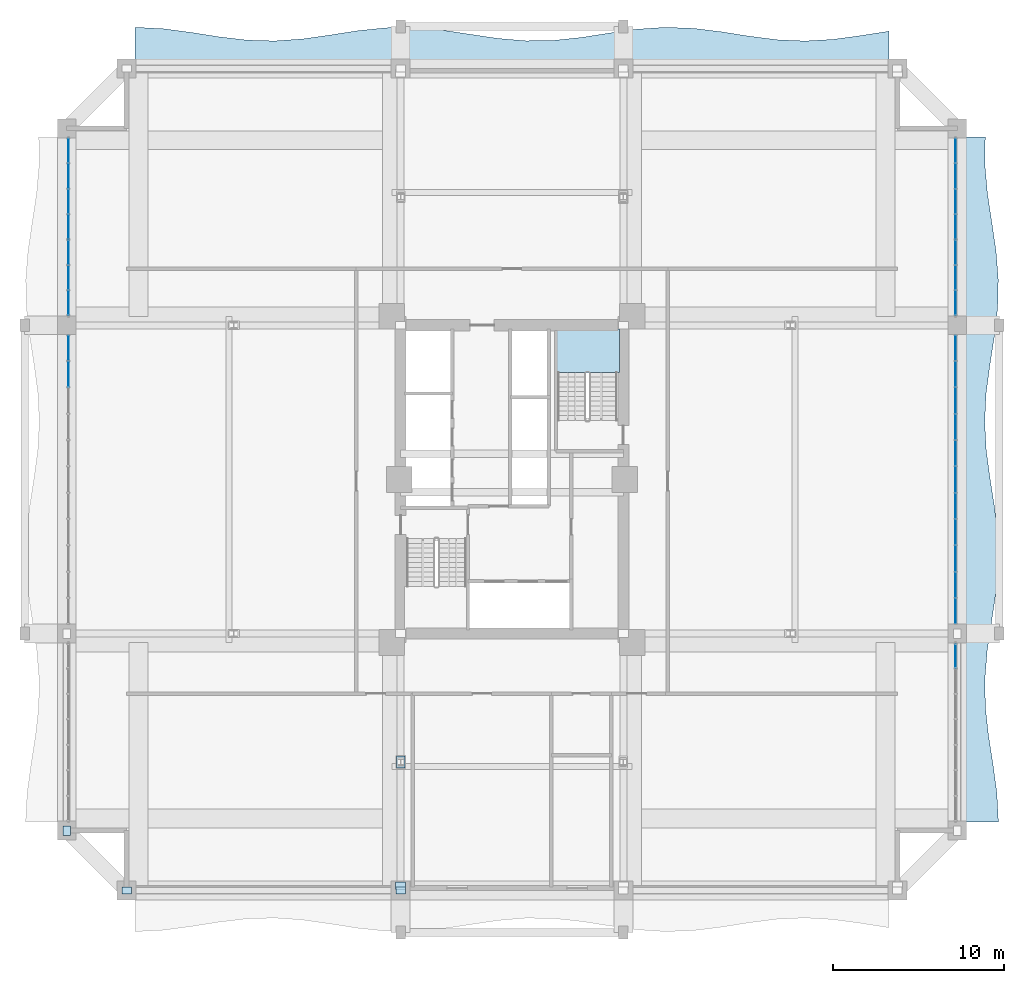
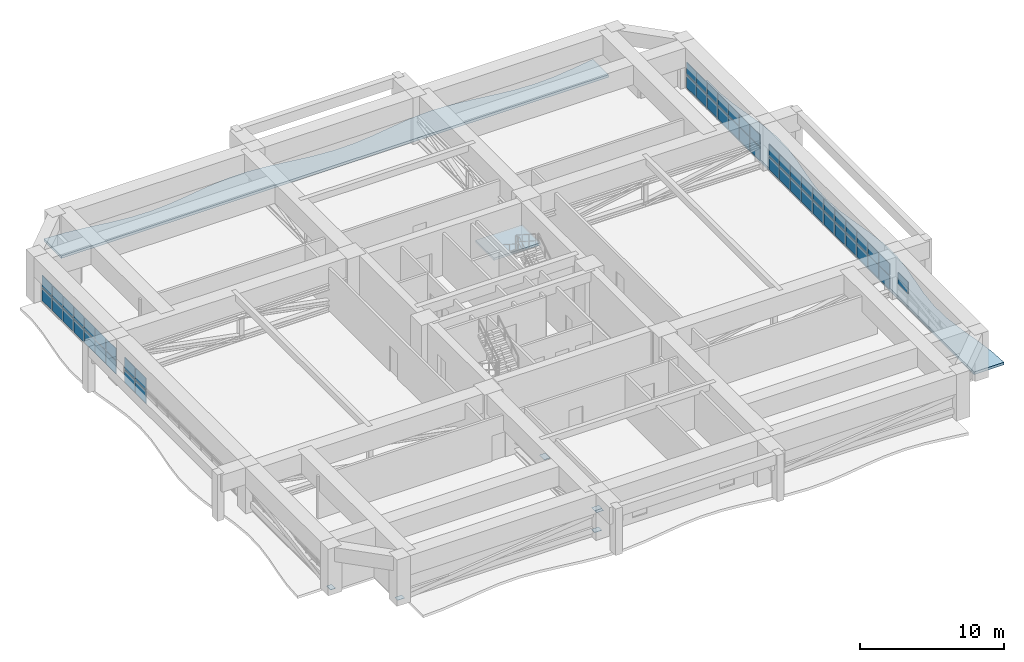
# One storey, part 27 of 35: 61 plates, 3 slabs, 6 elements without a shape of their own.
"""IFC4 building model written with IfcOpenShell, lengths in metres."""

import ifcopenshell
import ifcopenshell.guid

model = None  # the IFC model being written
_history = None  # IfcOwnerHistory: only IFC2X3 demands one
_inside = {}  # id of a spatial element -> (the spatial element, [elements in it])
_under = {}  # id of a project, library or spatial element -> (it, [spatial elements below it])
_declared = {}  # id of a project -> (the project, [libraries it declares])
_typed = {}  # id of a type object -> (the type object, [elements of that type])
_made_of = {}  # id of a material, layer set ... -> (it, [elements and type objects made of it])


def new_model(schema):
    """Start an empty IFC model of exactly this schema.

    Asked for "IFC4X3", IfcOpenShell would pick the latest addendum, in which some entities
    have other attributes; the version numbers below select the first issue.
    IFC2X3 requires an IfcOwnerHistory on every rooted entity: one is made here for all.
    """
    global model, _history
    if schema == "IFC4X3":
        model = ifcopenshell.file(schema_version=(4, 3, 0, 0))
    else:
        model = ifcopenshell.file(schema=schema)
    _inside.clear()
    _under.clear()
    _declared.clear()
    _typed.clear()
    _made_of.clear()
    _history = None
    if model.schema == "IFC2X3":
        org = make("IfcOrganization", Name="unknown")
        user = make(
            "IfcPersonAndOrganization",
            ThePerson=make("IfcPerson", FamilyName="unknown"),
            TheOrganization=org,
        )
        app = make(
            "IfcApplication",
            ApplicationDeveloper=org,
            Version="unknown",
            ApplicationFullName="unknown",
            ApplicationIdentifier="unknown",
        )
        _history = make(
            "IfcOwnerHistory",
            OwningUser=user,
            OwningApplication=app,
            ChangeAction="ADDED",
            CreationDate=0,
        )
    return model


def make(cls, **values):
    """One entity of the class cls with the attributes given. An attribute that is None is left unset."""
    return model.create_entity(
        cls, **{name: value for name, value in values.items() if value is not None}
    )


def rooted(cls, **values):
    """An entity with a GlobalId (a new one), such as an element, a storey or a relation."""
    return make(cls, GlobalId=ifcopenshell.guid.new(), OwnerHistory=_history, **values)


def si_unit(unit_type, name, prefix=None):
    """IfcSIUnit, for example si_unit("LENGTHUNIT", "METRE", prefix="MILLI")."""
    return make("IfcSIUnit", UnitType=unit_type, Prefix=prefix, Name=name)


def assignment(units):
    """IfcUnitAssignment: the units of a project."""
    return None if units is None else make("IfcUnitAssignment", Units=units)


def point(xyz):
    """IfcCartesianPoint."""
    return None if xyz is None else make("IfcCartesianPoint", Coordinates=xyz)


def direction(xyz):
    """IfcDirection."""
    return None if xyz is None else make("IfcDirection", DirectionRatios=xyz)


def frame(location, z_axis=None, x_axis=None):
    """IfcAxis2Placement3D, a coordinate frame: its origin and axes. An axis left out is left unset."""
    return make(
        "IfcAxis2Placement3D",
        Location=point(location),
        Axis=direction(z_axis),
        RefDirection=direction(x_axis),
    )


def frame_2d(location, x_axis=None):
    """IfcAxis2Placement2D, a coordinate frame in the plane: its origin and x axis."""
    return make(
        "IfcAxis2Placement2D", Location=point(location), RefDirection=direction(x_axis)
    )


def origin():
    """The frame at (0, 0, 0) with its axes left unset."""
    return frame((0.0, 0.0, 0.0))


def origin_2d():
    """The frame at (0, 0) in the plane with its x axis left unset."""
    return frame_2d((0.0, 0.0))


def place(relative_to, where):
    """IfcLocalPlacement: puts the frame where relative to a parent placement (None: the world)."""
    return make(
        "IfcLocalPlacement", PlacementRelTo=relative_to, RelativePlacement=where
    )


def context(
    kind, dimensions, precision=None, world=None, true_north=None, identifier=None
):
    """IfcGeometricRepresentationContext, for example the 3D "Model" context."""
    return make(
        "IfcGeometricRepresentationContext",
        ContextIdentifier=identifier,
        ContextType=kind,
        CoordinateSpaceDimension=dimensions,
        Precision=precision,
        WorldCoordinateSystem=world,
        TrueNorth=true_north,
    )


def subcontext(parent, identifier, kind, view, scale=None):
    """IfcGeometricRepresentationSubContext, for example "Body" below "Model"."""
    return make(
        "IfcGeometricRepresentationSubContext",
        ContextIdentifier=identifier,
        ContextType=kind,
        ParentContext=parent,
        TargetScale=scale,
        TargetView=view,
    )


def project(units=None, contexts=None):
    """IfcProject with its units and contexts."""
    return rooted(
        "IfcProject",
        Name="project",
        RepresentationContexts=contexts,
        UnitsInContext=assignment(units),
    )


def spatial(cls, under=None, at=None, **own):
    """A site, building, storey or space (cls), placed at a placement, below another one or the project."""
    s = rooted(cls, ObjectPlacement=at, **own)
    if under is not None:
        _under.setdefault(under.id(), (under, []))[1].append(s)
    return s


def polyline(points):
    """IfcPolyline through the points."""
    return make("IfcPolyline", Points=[point(p) for p in points])


def profile(cls, at=None, kind="AREA", **sizes):
    """A parametric profile (cls). Its sizes go by their IFC names, for example OverallWidth=200.0."""
    return make(cls, ProfileType=kind, Position=at, **sizes)


def rectangle(**sizes):
    """IfcRectangleProfileDef."""
    return profile("IfcRectangleProfileDef", **sizes)


def outline(outer, holes=None, kind="AREA"):
    """IfcArbitraryClosedProfileDef: a profile drawn as a closed curve; with holes, ...WithVoids."""
    if holes is None:
        return make("IfcArbitraryClosedProfileDef", ProfileType=kind, OuterCurve=outer)
    return make(
        "IfcArbitraryProfileDefWithVoids",
        ProfileType=kind,
        OuterCurve=outer,
        InnerCurves=holes,
    )


def extrude(swept, where, along, depth):
    """IfcExtrudedAreaSolid: the profile swept, set in the frame where, extruded along a direction by depth."""
    return make(
        "IfcExtrudedAreaSolid",
        SweptArea=swept,
        Position=where,
        ExtrudedDirection=direction(along),
        Depth=depth,
    )


def shape(context_of_items, identifier, shape_type, items):
    """IfcShapeRepresentation: the items that make up one representation, for example the "Body"."""
    return make(
        "IfcShapeRepresentation",
        ContextOfItems=context_of_items,
        RepresentationIdentifier=identifier,
        RepresentationType=shape_type,
        Items=items,
    )


def source(mapping_origin, context_of_items, identifier, shape_type, items):
    """IfcRepresentationMap: a shape defined once, which mapped items show again and again."""
    return make(
        "IfcRepresentationMap",
        MappingOrigin=mapping_origin,
        MappedRepresentation=shape(context_of_items, identifier, shape_type, items),
    )


def transform(
    local_origin,
    x_axis=None,
    y_axis=None,
    z_axis=None,
    scale=None,
    scale2=None,
    scale3=None,
    uniform=True,
):
    """IfcCartesianTransformationOperator3D, or its non-uniform kind. x_axis, y_axis, z_axis: its Axis1, 2, 3."""
    if uniform:
        return make(
            "IfcCartesianTransformationOperator3D",
            Axis1=direction(x_axis),
            Axis2=direction(y_axis),
            LocalOrigin=point(local_origin),
            Scale=scale,
            Axis3=direction(z_axis),
        )
    return make(
        "IfcCartesianTransformationOperator3DnonUniform",
        Axis1=direction(x_axis),
        Axis2=direction(y_axis),
        LocalOrigin=point(local_origin),
        Scale=scale,
        Axis3=direction(z_axis),
        Scale2=scale2,
        Scale3=scale3,
    )


def mapped(mapping_source, mapping_target):
    """IfcMappedItem: shows the shape of a source again, moved by a transform."""
    return make(
        "IfcMappedItem", MappingSource=mapping_source, MappingTarget=mapping_target
    )


def material(Name=None, Category=None):
    """IfcMaterial."""
    return make("IfcMaterial", Name=Name, Category=Category)


def layer(
    of_material, thickness, ventilated=None, Name=None, Category=None, Priority=None
):
    """IfcMaterialLayer: one layer of a wall or slab, of a material (None: an air gap)."""
    return make(
        "IfcMaterialLayer",
        Material=of_material,
        LayerThickness=thickness,
        IsVentilated=ventilated,
        Name=Name,
        Category=Category,
        Priority=Priority,
    )


def layer_set(layers, Name=None):
    """IfcMaterialLayerSet."""
    return make("IfcMaterialLayerSet", MaterialLayers=layers, LayerSetName=Name)


def made_of(thing, what):
    """Note that an element or type object is made of a material, layer set ...; save() writes the relation."""
    if what is not None:
        _made_of.setdefault(what.id(), (what, []))[1].append(thing)
    return thing


def type_object(cls, material=None, **own):
    """A type object (cls), such as IfcWallType, which elements share."""
    return made_of(rooted(cls, **own), material)


def element(
    cls,
    number,
    at=None,
    inside=None,
    cuts=None,
    type_object=None,
    material=None,
    context=None,
    identifier="Body",
    shape_type=None,
    held_by="IfcProductDefinitionShape",
    body=None,
    shapes=None,
    **own,
):
    """One element of the class cls, such as IfcWall. Its Tag is "e" and its number.

    at: its placement. inside: the storey or other place that contains it. cuts: it is an
    opening in that element (IfcRelVoidsElement). A single representation is given by context,
    identifier, shape_type and body (its items); several are given by shapes. held_by: the class
    of the entity that holds the representations. save() writes the other relations.
    """
    e = rooted(cls, Tag="e%d" % number, ObjectPlacement=at, **own)
    if body is not None:
        shapes = [shape(context, identifier, shape_type, body)]
    if shapes is not None:
        e.Representation = make(held_by, Representations=shapes)
    if inside is not None:
        _inside.setdefault(inside.id(), (inside, []))[1].append(e)
    if cuts is not None:
        rooted(
            "IfcRelVoidsElement", RelatingBuildingElement=cuts, RelatedOpeningElement=e
        )
    if type_object is not None:
        _typed.setdefault(type_object.id(), (type_object, []))[1].append(e)
    return made_of(e, material)


def aggregate(whole, parts):
    """IfcRelAggregates: a whole, such as a stair, and the parts it consists of."""
    return rooted("IfcRelAggregates", RelatingObject=whole, RelatedObjects=parts)


def save(model, path):
    """Write the relations noted so far, then the file.

    IfcRelAggregates (storeys below a building ...), IfcRelContainedInSpatialStructure (elements
    in a storey), IfcRelDefinesByType, IfcRelAssociatesMaterial and IfcRelDeclares: one each for
    every whole, place, type object, material and project.
    """
    for whole, parts in _under.values():
        aggregate(whole, parts)
    for where, things in _inside.values():
        rooted(
            "IfcRelContainedInSpatialStructure",
            RelatedElements=things,
            RelatingStructure=where,
        )
    for kind, things in _typed.values():
        rooted("IfcRelDefinesByType", RelatedObjects=things, RelatingType=kind)
    for what, things in _made_of.values():
        rooted("IfcRelAssociatesMaterial", RelatedObjects=things, RelatingMaterial=what)
    for by, libraries in _declared.values():
        rooted("IfcRelDeclares", RelatingContext=by, RelatedDefinitions=libraries)
    model.write(path)


model = new_model("IFC4")

# Units and contexts
model_context = context("Model", 3, precision=1e-05, world=origin(), true_north=direction((0.0, 1.0)))
body_context = subcontext(model_context, "Body", "Model", "MODEL_VIEW")
ifc_project = project(units=[si_unit("LENGTHUNIT", "METRE"), si_unit("AREAUNIT", "SQUARE_METRE"), si_unit("VOLUMEUNIT", "CUBIC_METRE"), si_unit("PLANEANGLEUNIT", "RADIAN"), si_unit("MASSUNIT", "GRAM", prefix="KILO")], contexts=[model_context])

# Site, building, storey
site_placement = place(None, origin())
site = spatial("IfcSite", under=ifc_project, at=site_placement, CompositionType="ELEMENT")
building_placement = place(site_placement, origin())
building = spatial("IfcBuilding", under=site, at=building_placement, Name="Saelheon Loggia Tower", CompositionType="ELEMENT")
storey_placement = place(building_placement, frame((0.0, 0.0, 70.39990234375)))
storey = spatial("IfcBuildingStorey", under=building, at=storey_placement, Name="L22", CompositionType="ELEMENT", Elevation=70.39990234375)

# Slabs
ifc_material_1 = material(Name="Concrete C45/55", Category="concrete")
ifc_layer_1 = layer(ifc_material_1, 0.219970703125)
ifc_layer_set_1 = layer_set([ifc_layer_1], Name="Concrete C45/55")
slab_type_1 = type_object("IfcSlabType", Name="Slab_RefugeTerrace_Ext_220", PredefinedType="FLOOR", material=ifc_layer_set_1)
slab_1_placement = place(storey_placement, frame((0.0, 0.0, -0.219970703125)))
element("IfcSlab", 1, at=slab_1_placement, inside=storey, type_object=slab_type_1, Name="L22 Open Refuge Terrace N", PredefinedType="FLOOR", context=body_context, shape_type="SweptSolid", body=[
    extrude(outline(polyline([(16.0, 51.0), (60.0, 51.0), (60.0, 53.17138671875), (58.370361328125, 52.915283203125), (56.74072265625, 52.6943359375), (55.111083984375, 52.600341796875), (53.4814453125, 52.672607421875), (51.851806640625, 52.880615234375), (50.22216796875, 53.138427734375), (48.592529296875, 53.338623046875), (46.962890625, 53.398193359375), (45.333251953125, 53.292236328125), (43.70361328125, 53.064697265625), (42.07421875, 52.810302734375), (40.4443359375, 52.635009765625), (38.814697265625, 52.611083984375), (37.185302734375, 52.748779296875), (35.5556640625, 52.9912109375), (33.92578125, 53.23681640625), (32.29638671875, 53.384521484375), (30.666748046875, 53.3720703125), (29.037109375, 53.205078125), (27.407470703125, 52.952880859375), (25.77783203125, 52.72021484375), (24.148193359375, 52.60400390625), (22.5185546875, 52.652099609375), (20.888916015625, 52.844970703125), (19.25927734375, 53.10205078125), (17.629638671875, 53.31689453125), (16.0, 53.39990234375), (16.0, 51.0)])), origin(), (0.0, 0.0, 1.0), 0.219970703125),
])
slab_2_placement = place(storey_placement, frame((0.0, 0.0, -0.219970703125)))
element("IfcSlab", 2, at=slab_2_placement, inside=storey, type_object=slab_type_1, Name="L22 Open Refuge Terrace E", PredefinedType="FLOOR", context=body_context, shape_type="SweptSolid", body=[
    extrude(outline(polyline([(64.0, 7.0), (66.39990234375, 7.0), (66.313232421875, 8.666748046875), (66.090576171875, 10.333251953125), (65.82861328125, 12.0), (65.64111328125, 13.666748046875), (65.609130859375, 15.333251953125), (65.7470703125, 17.0), (65.99462890625, 18.666748046875), (66.24462890625, 20.333251953125), (66.388427734375, 22.0), (66.363525390625, 23.666748046875), (66.18115234375, 25.333251953125), (65.919921875, 27.0), (65.693603515625, 28.666748046875), (65.60009765625, 30.333251953125), (65.68017578125, 32.0), (65.899169921875, 33.666748046875), (66.16162109375, 35.333251953125), (66.354248046875, 37.0), (66.39306640625, 38.666748046875), (66.26123046875, 40.333251953125), (66.01611328125, 42.0), (65.763916015625, 43.666748046875), (65.6142578125, 45.333251953125), (65.632080078125, 47.0), (64.0, 47.0), (64.0, 7.0)])), origin(), (0.0, 0.0, 1.0), 0.219970703125),
])

# Stair, slab
ifc_material_2 = material(Name="Concrete C40/50", Category="concrete")
stair_type = type_object("IfcStairType", Name="Stair_Escape_Core", PredefinedType="HALF_TURN_STAIR", material=ifc_material_2)
stair_placement = place(storey_placement, origin())
stair = element("IfcStair", 3, at=stair_placement, inside=storey, type_object=stair_type, Name="L22 Special Escape Stair ST2", PredefinedType="HALF_TURN_STAIR")
ifc_layer_2 = layer(ifc_material_2, 0.199951171875)
ifc_layer_set_2 = layer_set([ifc_layer_2], Name="Concrete C40/50")
slab_type_2 = type_object("IfcSlabType", Name="Slab_StairLanding_ST2", PredefinedType="LANDING", material=ifc_layer_set_2)
slab_3_placement = place(storey_placement, frame((0.0, 0.0, 1.775146484375)))
slab_3 = element("IfcSlab", 4, at=slab_3_placement, type_object=slab_type_2, Name="ST2 landing 1", PredefinedType="LANDING", context=body_context, shape_type="SweptSolid", body=[
    extrude(outline(polyline([(44.2900390625, 33.25), (44.2900390625, 35.7900390625), (40.530029296875, 35.7900390625), (40.530029296875, 33.25), (44.2900390625, 33.25)])), origin(), (0.0, 0.0, 1.0), 0.199951171875),
])
aggregate(stair, [slab_3])

# Plates
ifc_material_3 = material(Name="Steel SM355", Category="steel")
ifc_layer_3 = layer(ifc_material_3, 0.028076171875)
ifc_layer_set_3 = layer_set([ifc_layer_3], Name="Steel SM355")
plate_type_1 = type_object("IfcPlateType", Name="Plate_Gusset_GS1", PredefinedType="SHEET", material=ifc_layer_set_3)
shared_shape_1 = source(origin(), body_context, "Body", "SweptSolid", [
    extrude(rectangle(XDim=0.679931640625, YDim=0.47998046875, at=origin_2d()), origin(), (0.0, 0.0, 1.0), 0.028076171875),
])
plate_1_placement = place(storey_placement, frame((31.5, 10.5, 2.05615234375), z_axis=(0.0, 0.0, 1.0), x_axis=(0.0, 1.0, 0.0)))
element("IfcPlate", 5, at=plate_1_placement, inside=storey, type_object=plate_type_1, Name="L22 Outrigger Node Gusset SW-S", PredefinedType="SHEET", context=body_context, shape_type="MappedRepresentation", body=[
    mapped(shared_shape_1, transform((0.0, 0.0, 0.0), scale=1.0)),
])
ifc_layer_4 = layer(ifc_material_3, 0.02587890625)
ifc_layer_set_4 = layer_set([ifc_layer_4], Name="Steel SM355")
plate_type_2 = type_object("IfcPlateType", Name="Plate_Embed_EP1", PredefinedType="SHEET", material=ifc_layer_set_4)
shared_shape_2 = source(origin(), body_context, "Body", "SweptSolid", [
    extrude(rectangle(XDim=0.580078125, YDim=0.4599609375, at=origin_2d()), origin(), (0.0, 0.0, 1.0), 0.02587890625),
])
for number, where, z_axis, x_axis, name in (
    (6, (31.5, 3.280029296875, 2.05712890625), (0.0, 0.0, 1.0), (1.0, 0.0, 0.0), "L22 Perimeter Wall Outrigger Embed Plate SW-T"),
    (7, (31.5, 3.280029296875, 0.207275390625), (0.0, 0.0, 1.0), (1.0, 0.0, 0.0), "L22 Perimeter Wall Outrigger Embed Plate SW-B"),
):
    element("IfcPlate", number, at=place(storey_placement, frame(where, z_axis=z_axis, x_axis=x_axis)), inside=storey, type_object=plate_type_2, Name=name, PredefinedType="SHEET", context=body_context, shape_type="MappedRepresentation", body=[
        mapped(shared_shape_2, transform((0.0, 0.0, 0.0), scale=1.0)),
    ])
ifc_layer_5 = layer(ifc_material_3, 0.02490234375)
ifc_layer_set_5 = layer_set([ifc_layer_5], Name="Steel SM355")
plate_type_3 = type_object("IfcPlateType", Name="Plate_EndCap_FP1", PredefinedType="USERDEFINED", material=ifc_layer_set_5)
shared_shape_3 = source(origin(), body_context, "Body", "SweptSolid", [
    extrude(rectangle(XDim=0.56005859375, YDim=0.419921875, at=origin_2d()), origin(), (0.0, 0.0, 1.0), 0.02490234375),
])
for number, where, z_axis, x_axis, name in (
    (8, (15.5, 3.0, 0.207763671875), (0.0, 0.0, 1.0), (1.0, 0.0, 0.0), "L22 Hollow End Cap Plate BS1 A"),
    (9, (31.5, 3.0, 2.0576171875), (0.0, 0.0, 1.0), (1.0, 0.0, 0.0), "L22 Hollow End Cap Plate BS1 B"),
    (10, (12.0, 6.5, 0.207763671875), (0.0, 0.0, 1.0), (0.0, 1.0, 0.0), "L22 Hollow End Cap Plate BW1 A"),
):
    element("IfcPlate", number, at=place(storey_placement, frame(where, z_axis=z_axis, x_axis=x_axis)), inside=storey, type_object=plate_type_3, Name=name, ObjectType="FLANGE_PLATE", PredefinedType="USERDEFINED", context=body_context, shape_type="MappedRepresentation", body=[
        mapped(shared_shape_3, transform((0.0, 0.0, 0.0), scale=1.0)),
    ])

# Curtain wall, plates
ifc_material_4 = material(Name="Anodised Aluminium Acoustic Louvre Curtain Wall", Category="aluminium")
ifc_layer_6 = layer(ifc_material_4, 0.179931640625)
ifc_layer_set_6 = layer_set([ifc_layer_6], Name="Anodised Aluminium Acoustic Louvre Curtain Wall")
curtain_wall_type = type_object("IfcCurtainWallType", Name="CW_RefugeAcoustic", PredefinedType="NOTDEFINED", material=ifc_layer_set_6)
curtain_wall_1_placement = place(storey_placement, origin())
curtain_wall_1 = element("IfcCurtainWall", 11, at=curtain_wall_1_placement, inside=storey, type_object=curtain_wall_type, Name="L22 W Refuge Acoustic Curtain Wall 3", PredefinedType="NOTDEFINED")
ifc_material_5 = material(Name="Triple Low-E Laminated Glazing", Category="glass")
ifc_layer_7 = layer(ifc_material_5, 0.0400390625)
ifc_layer_set_7 = layer_set([ifc_layer_7], Name="Triple Low-E Laminated Glazing")
plate_type_4 = type_object("IfcPlateType", Name="CW_RefugeAcoustic_Panel", PredefinedType="CURTAIN_PANEL", material=ifc_layer_set_7)
shared_shape_4 = source(origin(), body_context, "Body", "SweptSolid", [
    extrude(rectangle(XDim=1.38818359375, YDim=0.0400390625, at=origin_2d()), origin(), (0.0, 0.0, 1.0), 1.1025390625),
])
plate_2_placement = place(storey_placement, frame((12.10009765625, 37.30908203125, 0.065185546875), z_axis=(0.0, 0.0, 1.0), x_axis=(0.0, 1.0, 0.0)))
plate_2 = element("IfcPlate", 12, at=plate_2_placement, type_object=plate_type_4, Name="CW5 panel 1.1", PredefinedType="CURTAIN_PANEL", context=body_context, shape_type="MappedRepresentation", body=[
    mapped(shared_shape_4, transform((0.0, 0.0, 0.0), scale=1.0)),
])
plate_3_placement = place(storey_placement, frame((12.10009765625, 46.19091796875, 0.065185546875), z_axis=(0.0, 0.0, 1.0), x_axis=(0.0, 1.0, 0.0)))
plate_3 = element("IfcPlate", 13, at=plate_3_placement, type_object=plate_type_4, Name="CW5 panel 7.1", PredefinedType="CURTAIN_PANEL", context=body_context, shape_type="MappedRepresentation", body=[
    mapped(shared_shape_4, transform((0.0, 0.0, 0.0), scale=1.0)),
])

curtain_wall_2_placement = place(storey_placement, origin())
curtain_wall_2 = element("IfcCurtainWall", 14, at=curtain_wall_2_placement, inside=storey, type_object=curtain_wall_type, Name="L22 E Refuge Acoustic Curtain Wall 3", PredefinedType="NOTDEFINED")
plate_4_placement = place(storey_placement, frame((63.89990234375, 37.30908203125, 0.065185546875), z_axis=(0.0, 0.0, 1.0), x_axis=(0.0, 1.0, 0.0)))
plate_4 = element("IfcPlate", 15, at=plate_4_placement, type_object=plate_type_4, Name="CW5 panel 1.1", PredefinedType="CURTAIN_PANEL", context=body_context, shape_type="MappedRepresentation", body=[
    mapped(shared_shape_4, transform((0.0, 0.0, 0.0), scale=1.0)),
])
plate_5_placement = place(storey_placement, frame((63.89990234375, 46.19091796875, 0.065185546875), z_axis=(0.0, 0.0, 1.0), x_axis=(0.0, 1.0, 0.0)))
plate_5 = element("IfcPlate", 16, at=plate_5_placement, type_object=plate_type_4, Name="CW5 panel 7.1", PredefinedType="CURTAIN_PANEL", context=body_context, shape_type="MappedRepresentation", body=[
    mapped(shared_shape_4, transform((0.0, 0.0, 0.0), scale=1.0)),
])

# Plate
shared_shape_5 = source(origin(), body_context, "Body", "SweptSolid", [
    extrude(rectangle(XDim=1.38818359375, YDim=0.0400390625, at=origin_2d()), origin(), (0.0, 0.0, 1.0), 0.992431640625),
])
plate_6_placement = place(storey_placement, frame((12.10009765625, 37.30908203125, 1.232421875), z_axis=(0.0, 0.0, 1.0), x_axis=(0.0, 1.0, 0.0)))
plate_6 = element("IfcPlate", 17, at=plate_6_placement, type_object=plate_type_4, Name="CW5 panel 1.2", PredefinedType="CURTAIN_PANEL", context=body_context, shape_type="MappedRepresentation", body=[
    mapped(shared_shape_5, transform((0.0, 0.0, 0.0), scale=1.0)),
])

plate_7_placement = place(storey_placement, frame((12.10009765625, 46.19091796875, 1.232421875), z_axis=(0.0, 0.0, 1.0), x_axis=(0.0, 1.0, 0.0)))
plate_7 = element("IfcPlate", 18, at=plate_7_placement, type_object=plate_type_4, Name="CW5 panel 7.2", PredefinedType="CURTAIN_PANEL", context=body_context, shape_type="MappedRepresentation", body=[
    mapped(shared_shape_5, transform((0.0, 0.0, 0.0), scale=1.0)),
])

# Curtain wall, plate
curtain_wall_3_placement = place(storey_placement, origin())
curtain_wall_3 = element("IfcCurtainWall", 19, at=curtain_wall_3_placement, inside=storey, type_object=curtain_wall_type, Name="L22 E Refuge Acoustic Curtain Wall 1", PredefinedType="NOTDEFINED")
plate_8_placement = place(storey_placement, frame((63.89990234375, 16.69091796875, 1.232421875), z_axis=(0.0, 0.0, 1.0), x_axis=(0.0, 1.0, 0.0)))
plate_8 = element("IfcPlate", 20, at=plate_8_placement, type_object=plate_type_4, Name="CW5 panel 7.2", PredefinedType="CURTAIN_PANEL", context=body_context, shape_type="MappedRepresentation", body=[
    mapped(shared_shape_5, transform((0.0, 0.0, 0.0), scale=1.0)),
])
aggregate(curtain_wall_3, [plate_8])

# Plate
plate_9_placement = place(storey_placement, frame((63.89990234375, 37.30908203125, 1.232421875), z_axis=(0.0, 0.0, 1.0), x_axis=(0.0, 1.0, 0.0)))
plate_9 = element("IfcPlate", 21, at=plate_9_placement, type_object=plate_type_4, Name="CW5 panel 1.2", PredefinedType="CURTAIN_PANEL", context=body_context, shape_type="MappedRepresentation", body=[
    mapped(shared_shape_5, transform((0.0, 0.0, 0.0), scale=1.0)),
])

plate_10_placement = place(storey_placement, frame((63.89990234375, 46.19091796875, 1.232421875), z_axis=(0.0, 0.0, 1.0), x_axis=(0.0, 1.0, 0.0)))
plate_10 = element("IfcPlate", 22, at=plate_10_placement, type_object=plate_type_4, Name="CW5 panel 7.2", PredefinedType="CURTAIN_PANEL", context=body_context, shape_type="MappedRepresentation", body=[
    mapped(shared_shape_5, transform((0.0, 0.0, 0.0), scale=1.0)),
])

shared_shape_6 = source(origin(), body_context, "Body", "SweptSolid", [
    extrude(rectangle(XDim=1.420654296875, YDim=0.0400390625, at=origin_2d()), origin(), (0.0, 0.0, 1.0), 1.1025390625),
])
plate_11_placement = place(storey_placement, frame((12.10009765625, 38.778564453125, 0.065185546875), z_axis=(0.0, 0.0, 1.0), x_axis=(0.0, 1.0, 0.0)))
plate_11 = element("IfcPlate", 23, at=plate_11_placement, type_object=plate_type_4, Name="CW5 panel 2.1", PredefinedType="CURTAIN_PANEL", context=body_context, shape_type="MappedRepresentation", body=[
    mapped(shared_shape_6, transform((0.0, 0.0, 0.0), scale=1.0)),
])

plate_12_placement = place(storey_placement, frame((12.10009765625, 40.264404296875, 0.065185546875), z_axis=(0.0, 0.0, 1.0), x_axis=(0.0, 1.0, 0.0)))
plate_12 = element("IfcPlate", 24, at=plate_12_placement, type_object=plate_type_4, Name="CW5 panel 3.1", PredefinedType="CURTAIN_PANEL", context=body_context, shape_type="MappedRepresentation", body=[
    mapped(shared_shape_6, transform((0.0, 0.0, 0.0), scale=1.0)),
])

plate_13_placement = place(storey_placement, frame((12.10009765625, 41.75, 0.065185546875), z_axis=(0.0, 0.0, 1.0), x_axis=(0.0, 1.0, 0.0)))
plate_13 = element("IfcPlate", 25, at=plate_13_placement, type_object=plate_type_4, Name="CW5 panel 4.1", PredefinedType="CURTAIN_PANEL", context=body_context, shape_type="MappedRepresentation", body=[
    mapped(shared_shape_6, transform((0.0, 0.0, 0.0), scale=1.0)),
])

plate_14_placement = place(storey_placement, frame((12.10009765625, 43.235595703125, 0.065185546875), z_axis=(0.0, 0.0, 1.0), x_axis=(0.0, 1.0, 0.0)))
plate_14 = element("IfcPlate", 26, at=plate_14_placement, type_object=plate_type_4, Name="CW5 panel 5.1", PredefinedType="CURTAIN_PANEL", context=body_context, shape_type="MappedRepresentation", body=[
    mapped(shared_shape_6, transform((0.0, 0.0, 0.0), scale=1.0)),
])

plate_15_placement = place(storey_placement, frame((12.10009765625, 44.721435546875, 0.065185546875), z_axis=(0.0, 0.0, 1.0), x_axis=(0.0, 1.0, 0.0)))
plate_15 = element("IfcPlate", 27, at=plate_15_placement, type_object=plate_type_4, Name="CW5 panel 6.1", PredefinedType="CURTAIN_PANEL", context=body_context, shape_type="MappedRepresentation", body=[
    mapped(shared_shape_6, transform((0.0, 0.0, 0.0), scale=1.0)),
])

plate_16_placement = place(storey_placement, frame((63.89990234375, 38.778564453125, 0.065185546875), z_axis=(0.0, 0.0, 1.0), x_axis=(0.0, 1.0, 0.0)))
plate_16 = element("IfcPlate", 28, at=plate_16_placement, type_object=plate_type_4, Name="CW5 panel 2.1", PredefinedType="CURTAIN_PANEL", context=body_context, shape_type="MappedRepresentation", body=[
    mapped(shared_shape_6, transform((0.0, 0.0, 0.0), scale=1.0)),
])

plate_17_placement = place(storey_placement, frame((63.89990234375, 40.264404296875, 0.065185546875), z_axis=(0.0, 0.0, 1.0), x_axis=(0.0, 1.0, 0.0)))
plate_17 = element("IfcPlate", 29, at=plate_17_placement, type_object=plate_type_4, Name="CW5 panel 3.1", PredefinedType="CURTAIN_PANEL", context=body_context, shape_type="MappedRepresentation", body=[
    mapped(shared_shape_6, transform((0.0, 0.0, 0.0), scale=1.0)),
])

plate_18_placement = place(storey_placement, frame((63.89990234375, 41.75, 0.065185546875), z_axis=(0.0, 0.0, 1.0), x_axis=(0.0, 1.0, 0.0)))
plate_18 = element("IfcPlate", 30, at=plate_18_placement, type_object=plate_type_4, Name="CW5 panel 4.1", PredefinedType="CURTAIN_PANEL", context=body_context, shape_type="MappedRepresentation", body=[
    mapped(shared_shape_6, transform((0.0, 0.0, 0.0), scale=1.0)),
])

plate_19_placement = place(storey_placement, frame((63.89990234375, 43.235595703125, 0.065185546875), z_axis=(0.0, 0.0, 1.0), x_axis=(0.0, 1.0, 0.0)))
plate_19 = element("IfcPlate", 31, at=plate_19_placement, type_object=plate_type_4, Name="CW5 panel 5.1", PredefinedType="CURTAIN_PANEL", context=body_context, shape_type="MappedRepresentation", body=[
    mapped(shared_shape_6, transform((0.0, 0.0, 0.0), scale=1.0)),
])

plate_20_placement = place(storey_placement, frame((63.89990234375, 44.721435546875, 0.065185546875), z_axis=(0.0, 0.0, 1.0), x_axis=(0.0, 1.0, 0.0)))
plate_20 = element("IfcPlate", 32, at=plate_20_placement, type_object=plate_type_4, Name="CW5 panel 6.1", PredefinedType="CURTAIN_PANEL", context=body_context, shape_type="MappedRepresentation", body=[
    mapped(shared_shape_6, transform((0.0, 0.0, 0.0), scale=1.0)),
])

shared_shape_7 = source(origin(), body_context, "Body", "SweptSolid", [
    extrude(rectangle(XDim=1.420654296875, YDim=0.0400390625, at=origin_2d()), origin(), (0.0, 0.0, 1.0), 0.992431640625),
])
plate_21_placement = place(storey_placement, frame((12.10009765625, 38.778564453125, 1.232421875), z_axis=(0.0, 0.0, 1.0), x_axis=(0.0, 1.0, 0.0)))
plate_21 = element("IfcPlate", 33, at=plate_21_placement, type_object=plate_type_4, Name="CW5 panel 2.2", PredefinedType="CURTAIN_PANEL", context=body_context, shape_type="MappedRepresentation", body=[
    mapped(shared_shape_7, transform((0.0, 0.0, 0.0), scale=1.0)),
])

plate_22_placement = place(storey_placement, frame((12.10009765625, 40.264404296875, 1.232421875), z_axis=(0.0, 0.0, 1.0), x_axis=(0.0, 1.0, 0.0)))
plate_22 = element("IfcPlate", 34, at=plate_22_placement, type_object=plate_type_4, Name="CW5 panel 3.2", PredefinedType="CURTAIN_PANEL", context=body_context, shape_type="MappedRepresentation", body=[
    mapped(shared_shape_7, transform((0.0, 0.0, 0.0), scale=1.0)),
])

plate_23_placement = place(storey_placement, frame((12.10009765625, 41.75, 1.232421875), z_axis=(0.0, 0.0, 1.0), x_axis=(0.0, 1.0, 0.0)))
plate_23 = element("IfcPlate", 35, at=plate_23_placement, type_object=plate_type_4, Name="CW5 panel 4.2", PredefinedType="CURTAIN_PANEL", context=body_context, shape_type="MappedRepresentation", body=[
    mapped(shared_shape_7, transform((0.0, 0.0, 0.0), scale=1.0)),
])

plate_24_placement = place(storey_placement, frame((12.10009765625, 43.235595703125, 1.232421875), z_axis=(0.0, 0.0, 1.0), x_axis=(0.0, 1.0, 0.0)))
plate_24 = element("IfcPlate", 36, at=plate_24_placement, type_object=plate_type_4, Name="CW5 panel 5.2", PredefinedType="CURTAIN_PANEL", context=body_context, shape_type="MappedRepresentation", body=[
    mapped(shared_shape_7, transform((0.0, 0.0, 0.0), scale=1.0)),
])

plate_25_placement = place(storey_placement, frame((12.10009765625, 44.721435546875, 1.232421875), z_axis=(0.0, 0.0, 1.0), x_axis=(0.0, 1.0, 0.0)))
plate_25 = element("IfcPlate", 37, at=plate_25_placement, type_object=plate_type_4, Name="CW5 panel 6.2", PredefinedType="CURTAIN_PANEL", context=body_context, shape_type="MappedRepresentation", body=[
    mapped(shared_shape_7, transform((0.0, 0.0, 0.0), scale=1.0)),
])

aggregate(curtain_wall_1, [plate_2, plate_6, plate_11, plate_21, plate_12, plate_22, plate_13, plate_23, plate_14, plate_24, plate_15, plate_25, plate_3, plate_7])

plate_26_placement = place(storey_placement, frame((63.89990234375, 38.778564453125, 1.232421875), z_axis=(0.0, 0.0, 1.0), x_axis=(0.0, 1.0, 0.0)))
plate_26 = element("IfcPlate", 38, at=plate_26_placement, type_object=plate_type_4, Name="CW5 panel 2.2", PredefinedType="CURTAIN_PANEL", context=body_context, shape_type="MappedRepresentation", body=[
    mapped(shared_shape_7, transform((0.0, 0.0, 0.0), scale=1.0)),
])

plate_27_placement = place(storey_placement, frame((63.89990234375, 40.264404296875, 1.232421875), z_axis=(0.0, 0.0, 1.0), x_axis=(0.0, 1.0, 0.0)))
plate_27 = element("IfcPlate", 39, at=plate_27_placement, type_object=plate_type_4, Name="CW5 panel 3.2", PredefinedType="CURTAIN_PANEL", context=body_context, shape_type="MappedRepresentation", body=[
    mapped(shared_shape_7, transform((0.0, 0.0, 0.0), scale=1.0)),
])

plate_28_placement = place(storey_placement, frame((63.89990234375, 41.75, 1.232421875), z_axis=(0.0, 0.0, 1.0), x_axis=(0.0, 1.0, 0.0)))
plate_28 = element("IfcPlate", 40, at=plate_28_placement, type_object=plate_type_4, Name="CW5 panel 4.2", PredefinedType="CURTAIN_PANEL", context=body_context, shape_type="MappedRepresentation", body=[
    mapped(shared_shape_7, transform((0.0, 0.0, 0.0), scale=1.0)),
])

plate_29_placement = place(storey_placement, frame((63.89990234375, 43.235595703125, 1.232421875), z_axis=(0.0, 0.0, 1.0), x_axis=(0.0, 1.0, 0.0)))
plate_29 = element("IfcPlate", 41, at=plate_29_placement, type_object=plate_type_4, Name="CW5 panel 5.2", PredefinedType="CURTAIN_PANEL", context=body_context, shape_type="MappedRepresentation", body=[
    mapped(shared_shape_7, transform((0.0, 0.0, 0.0), scale=1.0)),
])

plate_30_placement = place(storey_placement, frame((63.89990234375, 44.721435546875, 1.232421875), z_axis=(0.0, 0.0, 1.0), x_axis=(0.0, 1.0, 0.0)))
plate_30 = element("IfcPlate", 42, at=plate_30_placement, type_object=plate_type_4, Name="CW5 panel 6.2", PredefinedType="CURTAIN_PANEL", context=body_context, shape_type="MappedRepresentation", body=[
    mapped(shared_shape_7, transform((0.0, 0.0, 0.0), scale=1.0)),
])

aggregate(curtain_wall_2, [plate_4, plate_9, plate_16, plate_26, plate_17, plate_27, plate_18, plate_28, plate_19, plate_29, plate_20, plate_30, plate_5, plate_10])

# Curtain wall, plate
curtain_wall_4_placement = place(storey_placement, origin())
curtain_wall_4 = element("IfcCurtainWall", 43, at=curtain_wall_4_placement, inside=storey, type_object=curtain_wall_type, Name="L22 W Refuge Acoustic Curtain Wall 2", PredefinedType="NOTDEFINED")
shared_shape_8 = source(origin(), body_context, "Body", "SweptSolid", [
    extrude(rectangle(XDim=1.43896484375, YDim=0.0400390625, at=origin_2d()), origin(), (0.0, 0.0, 1.0), 1.1025390625),
])
plate_31_placement = place(storey_placement, frame((12.10009765625, 34.66552734375, 0.065185546875), z_axis=(0.0, 0.0, 1.0), x_axis=(0.0, 1.0, 0.0)))
plate_31 = element("IfcPlate", 44, at=plate_31_placement, type_object=plate_type_4, Name="CW5 panel 11.1", PredefinedType="CURTAIN_PANEL", context=body_context, shape_type="MappedRepresentation", body=[
    mapped(shared_shape_8, transform((0.0, 0.0, 0.0), scale=1.0)),
])

# Curtain wall, plates
curtain_wall_5_placement = place(storey_placement, origin())
curtain_wall_5 = element("IfcCurtainWall", 45, at=curtain_wall_5_placement, inside=storey, type_object=curtain_wall_type, Name="L22 E Refuge Acoustic Curtain Wall 2", PredefinedType="NOTDEFINED")
plate_32_placement = place(storey_placement, frame((63.89990234375, 19.33447265625, 0.065185546875), z_axis=(0.0, 0.0, 1.0), x_axis=(0.0, 1.0, 0.0)))
plate_32 = element("IfcPlate", 46, at=plate_32_placement, type_object=plate_type_4, Name="CW5 panel 1.1", PredefinedType="CURTAIN_PANEL", context=body_context, shape_type="MappedRepresentation", body=[
    mapped(shared_shape_8, transform((0.0, 0.0, 0.0), scale=1.0)),
])
plate_33_placement = place(storey_placement, frame((63.89990234375, 34.66552734375, 0.065185546875), z_axis=(0.0, 0.0, 1.0), x_axis=(0.0, 1.0, 0.0)))
plate_33 = element("IfcPlate", 47, at=plate_33_placement, type_object=plate_type_4, Name="CW5 panel 11.1", PredefinedType="CURTAIN_PANEL", context=body_context, shape_type="MappedRepresentation", body=[
    mapped(shared_shape_8, transform((0.0, 0.0, 0.0), scale=1.0)),
])

# Plate
shared_shape_9 = source(origin(), body_context, "Body", "SweptSolid", [
    extrude(rectangle(XDim=1.43896484375, YDim=0.0400390625, at=origin_2d()), origin(), (0.0, 0.0, 1.0), 0.992431640625),
])
plate_34_placement = place(storey_placement, frame((12.10009765625, 34.66552734375, 1.232421875), z_axis=(0.0, 0.0, 1.0), x_axis=(0.0, 1.0, 0.0)))
plate_34 = element("IfcPlate", 48, at=plate_34_placement, type_object=plate_type_4, Name="CW5 panel 11.2", PredefinedType="CURTAIN_PANEL", context=body_context, shape_type="MappedRepresentation", body=[
    mapped(shared_shape_9, transform((0.0, 0.0, 0.0), scale=1.0)),
])

plate_35_placement = place(storey_placement, frame((63.89990234375, 19.33447265625, 1.232421875), z_axis=(0.0, 0.0, 1.0), x_axis=(0.0, 1.0, 0.0)))
plate_35 = element("IfcPlate", 49, at=plate_35_placement, type_object=plate_type_4, Name="CW5 panel 1.2", PredefinedType="CURTAIN_PANEL", context=body_context, shape_type="MappedRepresentation", body=[
    mapped(shared_shape_9, transform((0.0, 0.0, 0.0), scale=1.0)),
])

plate_36_placement = place(storey_placement, frame((63.89990234375, 34.66552734375, 1.232421875), z_axis=(0.0, 0.0, 1.0), x_axis=(0.0, 1.0, 0.0)))
plate_36 = element("IfcPlate", 50, at=plate_36_placement, type_object=plate_type_4, Name="CW5 panel 11.2", PredefinedType="CURTAIN_PANEL", context=body_context, shape_type="MappedRepresentation", body=[
    mapped(shared_shape_9, transform((0.0, 0.0, 0.0), scale=1.0)),
])

shared_shape_10 = source(origin(), body_context, "Body", "SweptSolid", [
    extrude(rectangle(XDim=1.471435546875, YDim=0.0400390625, at=origin_2d()), origin(), (0.0, 0.0, 1.0), 1.1025390625),
])
plate_37_placement = place(storey_placement, frame((12.10009765625, 33.1455078125, 0.065185546875), z_axis=(0.0, 0.0, 1.0), x_axis=(0.0, 1.0, 0.0)))
plate_37 = element("IfcPlate", 51, at=plate_37_placement, type_object=plate_type_4, Name="CW5 panel 10.1", PredefinedType="CURTAIN_PANEL", context=body_context, shape_type="MappedRepresentation", body=[
    mapped(shared_shape_10, transform((0.0, 0.0, 0.0), scale=1.0)),
])

plate_38_placement = place(storey_placement, frame((63.89990234375, 20.8544921875, 0.065185546875), z_axis=(0.0, 0.0, 1.0), x_axis=(0.0, 1.0, 0.0)))
plate_38 = element("IfcPlate", 52, at=plate_38_placement, type_object=plate_type_4, Name="CW5 panel 2.1", PredefinedType="CURTAIN_PANEL", context=body_context, shape_type="MappedRepresentation", body=[
    mapped(shared_shape_10, transform((0.0, 0.0, 0.0), scale=1.0)),
])

plate_39_placement = place(storey_placement, frame((63.89990234375, 22.390869140625, 0.065185546875), z_axis=(0.0, 0.0, 1.0), x_axis=(0.0, 1.0, 0.0)))
plate_39 = element("IfcPlate", 53, at=plate_39_placement, type_object=plate_type_4, Name="CW5 panel 3.1", PredefinedType="CURTAIN_PANEL", context=body_context, shape_type="MappedRepresentation", body=[
    mapped(shared_shape_10, transform((0.0, 0.0, 0.0), scale=1.0)),
])

plate_40_placement = place(storey_placement, frame((63.89990234375, 23.92724609375, 0.065185546875), z_axis=(0.0, 0.0, 1.0), x_axis=(0.0, 1.0, 0.0)))
plate_40 = element("IfcPlate", 54, at=plate_40_placement, type_object=plate_type_4, Name="CW5 panel 4.1", PredefinedType="CURTAIN_PANEL", context=body_context, shape_type="MappedRepresentation", body=[
    mapped(shared_shape_10, transform((0.0, 0.0, 0.0), scale=1.0)),
])

plate_41_placement = place(storey_placement, frame((63.89990234375, 25.463623046875, 0.065185546875), z_axis=(0.0, 0.0, 1.0), x_axis=(0.0, 1.0, 0.0)))
plate_41 = element("IfcPlate", 55, at=plate_41_placement, type_object=plate_type_4, Name="CW5 panel 5.1", PredefinedType="CURTAIN_PANEL", context=body_context, shape_type="MappedRepresentation", body=[
    mapped(shared_shape_10, transform((0.0, 0.0, 0.0), scale=1.0)),
])

plate_42_placement = place(storey_placement, frame((63.89990234375, 27.0, 0.065185546875), z_axis=(0.0, 0.0, 1.0), x_axis=(0.0, 1.0, 0.0)))
plate_42 = element("IfcPlate", 56, at=plate_42_placement, type_object=plate_type_4, Name="CW5 panel 6.1", PredefinedType="CURTAIN_PANEL", context=body_context, shape_type="MappedRepresentation", body=[
    mapped(shared_shape_10, transform((0.0, 0.0, 0.0), scale=1.0)),
])

plate_43_placement = place(storey_placement, frame((63.89990234375, 28.536376953125, 0.065185546875), z_axis=(0.0, 0.0, 1.0), x_axis=(0.0, 1.0, 0.0)))
plate_43 = element("IfcPlate", 57, at=plate_43_placement, type_object=plate_type_4, Name="CW5 panel 7.1", PredefinedType="CURTAIN_PANEL", context=body_context, shape_type="MappedRepresentation", body=[
    mapped(shared_shape_10, transform((0.0, 0.0, 0.0), scale=1.0)),
])

plate_44_placement = place(storey_placement, frame((63.89990234375, 30.07275390625, 0.065185546875), z_axis=(0.0, 0.0, 1.0), x_axis=(0.0, 1.0, 0.0)))
plate_44 = element("IfcPlate", 58, at=plate_44_placement, type_object=plate_type_4, Name="CW5 panel 8.1", PredefinedType="CURTAIN_PANEL", context=body_context, shape_type="MappedRepresentation", body=[
    mapped(shared_shape_10, transform((0.0, 0.0, 0.0), scale=1.0)),
])

plate_45_placement = place(storey_placement, frame((63.89990234375, 31.609130859375, 0.065185546875), z_axis=(0.0, 0.0, 1.0), x_axis=(0.0, 1.0, 0.0)))
plate_45 = element("IfcPlate", 59, at=plate_45_placement, type_object=plate_type_4, Name="CW5 panel 9.1", PredefinedType="CURTAIN_PANEL", context=body_context, shape_type="MappedRepresentation", body=[
    mapped(shared_shape_10, transform((0.0, 0.0, 0.0), scale=1.0)),
])

plate_46_placement = place(storey_placement, frame((63.89990234375, 33.1455078125, 0.065185546875), z_axis=(0.0, 0.0, 1.0), x_axis=(0.0, 1.0, 0.0)))
plate_46 = element("IfcPlate", 60, at=plate_46_placement, type_object=plate_type_4, Name="CW5 panel 10.1", PredefinedType="CURTAIN_PANEL", context=body_context, shape_type="MappedRepresentation", body=[
    mapped(shared_shape_10, transform((0.0, 0.0, 0.0), scale=1.0)),
])

shared_shape_11 = source(origin(), body_context, "Body", "SweptSolid", [
    extrude(rectangle(XDim=1.471435546875, YDim=0.0400390625, at=origin_2d()), origin(), (0.0, 0.0, 1.0), 0.992431640625),
])
plate_47_placement = place(storey_placement, frame((12.10009765625, 33.1455078125, 1.232421875), z_axis=(0.0, 0.0, 1.0), x_axis=(0.0, 1.0, 0.0)))
plate_47 = element("IfcPlate", 61, at=plate_47_placement, type_object=plate_type_4, Name="CW5 panel 10.2", PredefinedType="CURTAIN_PANEL", context=body_context, shape_type="MappedRepresentation", body=[
    mapped(shared_shape_11, transform((0.0, 0.0, 0.0), scale=1.0)),
])

aggregate(curtain_wall_4, [plate_37, plate_47, plate_31, plate_34])

plate_48_placement = place(storey_placement, frame((63.89990234375, 20.8544921875, 1.232421875), z_axis=(0.0, 0.0, 1.0), x_axis=(0.0, 1.0, 0.0)))
plate_48 = element("IfcPlate", 62, at=plate_48_placement, type_object=plate_type_4, Name="CW5 panel 2.2", PredefinedType="CURTAIN_PANEL", context=body_context, shape_type="MappedRepresentation", body=[
    mapped(shared_shape_11, transform((0.0, 0.0, 0.0), scale=1.0)),
])

plate_49_placement = place(storey_placement, frame((63.89990234375, 22.390869140625, 1.232421875), z_axis=(0.0, 0.0, 1.0), x_axis=(0.0, 1.0, 0.0)))
plate_49 = element("IfcPlate", 63, at=plate_49_placement, type_object=plate_type_4, Name="CW5 panel 3.2", PredefinedType="CURTAIN_PANEL", context=body_context, shape_type="MappedRepresentation", body=[
    mapped(shared_shape_11, transform((0.0, 0.0, 0.0), scale=1.0)),
])

plate_50_placement = place(storey_placement, frame((63.89990234375, 23.92724609375, 1.232421875), z_axis=(0.0, 0.0, 1.0), x_axis=(0.0, 1.0, 0.0)))
plate_50 = element("IfcPlate", 64, at=plate_50_placement, type_object=plate_type_4, Name="CW5 panel 4.2", PredefinedType="CURTAIN_PANEL", context=body_context, shape_type="MappedRepresentation", body=[
    mapped(shared_shape_11, transform((0.0, 0.0, 0.0), scale=1.0)),
])

plate_51_placement = place(storey_placement, frame((63.89990234375, 25.463623046875, 1.232421875), z_axis=(0.0, 0.0, 1.0), x_axis=(0.0, 1.0, 0.0)))
plate_51 = element("IfcPlate", 65, at=plate_51_placement, type_object=plate_type_4, Name="CW5 panel 5.2", PredefinedType="CURTAIN_PANEL", context=body_context, shape_type="MappedRepresentation", body=[
    mapped(shared_shape_11, transform((0.0, 0.0, 0.0), scale=1.0)),
])

plate_52_placement = place(storey_placement, frame((63.89990234375, 27.0, 1.232421875), z_axis=(0.0, 0.0, 1.0), x_axis=(0.0, 1.0, 0.0)))
plate_52 = element("IfcPlate", 66, at=plate_52_placement, type_object=plate_type_4, Name="CW5 panel 6.2", PredefinedType="CURTAIN_PANEL", context=body_context, shape_type="MappedRepresentation", body=[
    mapped(shared_shape_11, transform((0.0, 0.0, 0.0), scale=1.0)),
])

plate_53_placement = place(storey_placement, frame((63.89990234375, 28.536376953125, 1.232421875), z_axis=(0.0, 0.0, 1.0), x_axis=(0.0, 1.0, 0.0)))
plate_53 = element("IfcPlate", 67, at=plate_53_placement, type_object=plate_type_4, Name="CW5 panel 7.2", PredefinedType="CURTAIN_PANEL", context=body_context, shape_type="MappedRepresentation", body=[
    mapped(shared_shape_11, transform((0.0, 0.0, 0.0), scale=1.0)),
])

plate_54_placement = place(storey_placement, frame((63.89990234375, 30.07275390625, 1.232421875), z_axis=(0.0, 0.0, 1.0), x_axis=(0.0, 1.0, 0.0)))
plate_54 = element("IfcPlate", 68, at=plate_54_placement, type_object=plate_type_4, Name="CW5 panel 8.2", PredefinedType="CURTAIN_PANEL", context=body_context, shape_type="MappedRepresentation", body=[
    mapped(shared_shape_11, transform((0.0, 0.0, 0.0), scale=1.0)),
])

plate_55_placement = place(storey_placement, frame((63.89990234375, 31.609130859375, 1.232421875), z_axis=(0.0, 0.0, 1.0), x_axis=(0.0, 1.0, 0.0)))
plate_55 = element("IfcPlate", 69, at=plate_55_placement, type_object=plate_type_4, Name="CW5 panel 9.2", PredefinedType="CURTAIN_PANEL", context=body_context, shape_type="MappedRepresentation", body=[
    mapped(shared_shape_11, transform((0.0, 0.0, 0.0), scale=1.0)),
])

plate_56_placement = place(storey_placement, frame((63.89990234375, 33.1455078125, 1.232421875), z_axis=(0.0, 0.0, 1.0), x_axis=(0.0, 1.0, 0.0)))
plate_56 = element("IfcPlate", 70, at=plate_56_placement, type_object=plate_type_4, Name="CW5 panel 10.2", PredefinedType="CURTAIN_PANEL", context=body_context, shape_type="MappedRepresentation", body=[
    mapped(shared_shape_11, transform((0.0, 0.0, 0.0), scale=1.0)),
])

aggregate(curtain_wall_5, [plate_32, plate_35, plate_38, plate_48, plate_39, plate_49, plate_40, plate_50, plate_41, plate_51, plate_42, plate_52, plate_43, plate_53, plate_44, plate_54, plate_45, plate_55, plate_46, plate_56, plate_33, plate_36])

save(model, "model.ifc")
